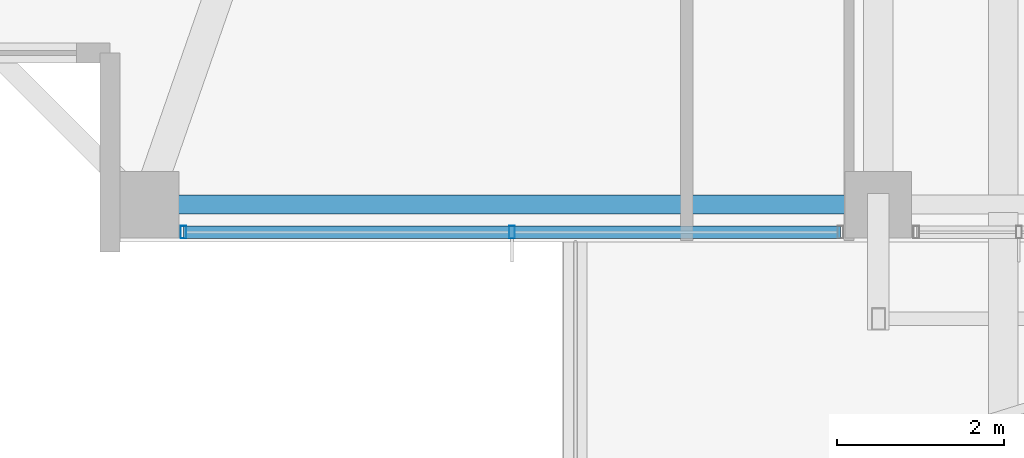
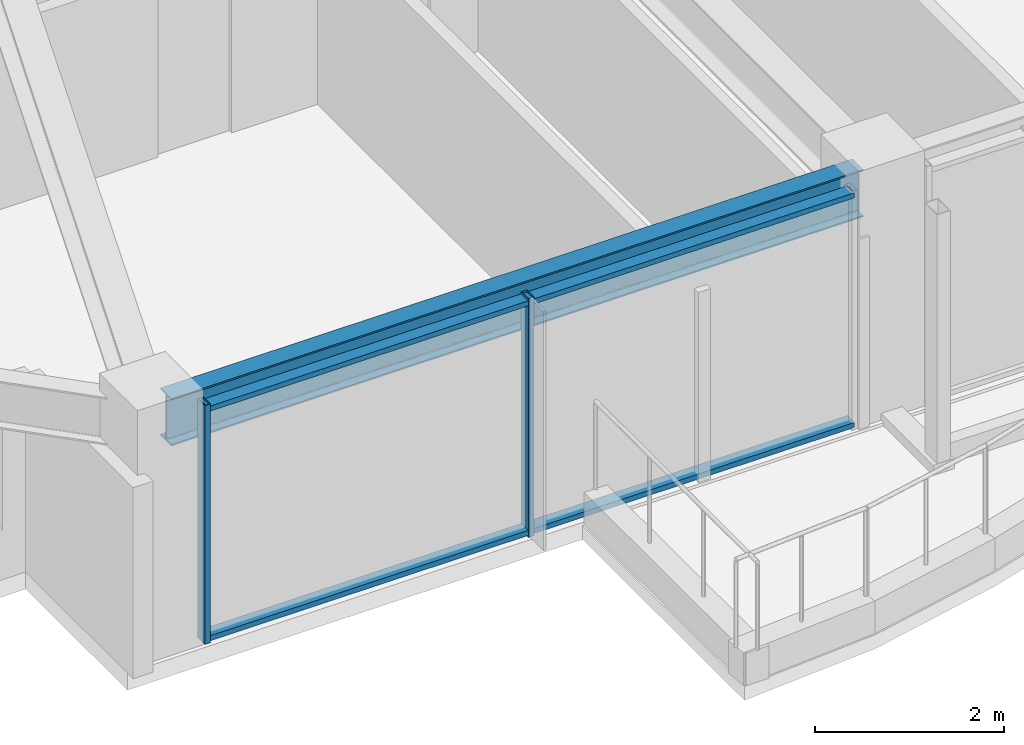
# One storey, part 2 of 38: 4 members, 1 beam, 1 element without a shape of its own.
"""IFC4 building model written with IfcOpenShell, lengths in metres."""

from ifc_helpers import new_model, si_unit, direction, frame, origin, origin_2d, place, context, subcontext, project, spatial, hollow_rectangle, i_section, extrude, material, material_profile, profile_set, type_object, element, aggregate, save


model = new_model("IFC4")

# Units and contexts
model_context = context("Model", 3, precision=1e-05, world=origin(), true_north=direction((0.0, 1.0)))
body_context = subcontext(model_context, "Body", "Model", "MODEL_VIEW")
ifc_project = project(units=[si_unit("LENGTHUNIT", "METRE"), si_unit("AREAUNIT", "SQUARE_METRE"), si_unit("VOLUMEUNIT", "CUBIC_METRE"), si_unit("PLANEANGLEUNIT", "RADIAN"), si_unit("MASSUNIT", "GRAM", prefix="KILO")], contexts=[model_context])

# Site, building, storey
site_placement = place(None, origin())
site = spatial("IfcSite", under=ifc_project, at=site_placement, CompositionType="ELEMENT")
building_placement = place(site_placement, origin())
building = spatial("IfcBuilding", under=site, at=building_placement, Name="Kolvaren Belvedere", CompositionType="ELEMENT")
storey_placement = place(building_placement, frame((0.0, 0.0, 206.39990234375)))
storey = spatial("IfcBuildingStorey", under=building, at=storey_placement, Name="L60", CompositionType="ELEMENT", Elevation=206.39990234375)

# Beam
ifc_material_1 = material(Name="Structural steel ASTM A992 Grade 50", Category="steel")
ifc_material_profile_1 = material_profile(ifc_material_1, i_section(OverallWidth=0.22900390625, OverallDepth=0.612060546875, WebThickness=0.011962890625, FlangeThickness=0.01953125, FilletRadius=0.01806640625, at=origin_2d()), Name="W24X84")
ifc_profile_set_1 = profile_set([ifc_material_profile_1], Name="Structural steel ASTM A992 Grade 50")
beam_type = type_object("IfcBeamType", Name="BM-SPAN-W24X84", PredefinedType="SPANDREL", material=ifc_profile_set_1)
beam_placement = place(storey_placement, frame((-13.219970703125, -19.949951171875, 2.774169921875), z_axis=(1.0, 0.0, 0.0), x_axis=(0.0, 1.0, 0.0)))
element("IfcBeam", 1, at=beam_placement, inside=storey, type_object=beam_type, Name="L60 Perimeter Spandrel S1-S2", PredefinedType="SPANDREL", context=body_context, shape_type="SweptSolid", body=[
    extrude(i_section(OverallWidth=0.22900390625, OverallDepth=0.612060546875, WebThickness=0.011962890625, FlangeThickness=0.01953125, FilletRadius=0.01806640625, at=origin_2d()), origin(), (0.0, 0.0, 1.0), 8.43994140625),
])

# Curtain wall, members
ifc_material_2 = material(Name="Anodised pale-metal aluminium AA 6063-T6", Category="aluminium")
curtain_wall_type = type_object("IfcCurtainWallType", Name="CW-Z5-HIGH", PredefinedType="NOTDEFINED", material=ifc_material_2)
curtain_wall_placement = place(storey_placement, origin())
curtain_wall = element("IfcCurtainWall", 2, at=curtain_wall_placement, inside=storey, type_object=curtain_wall_type, Name="L60 Unitised Curtain Wall FCW-L60-S2-B2", PredefinedType="NOTDEFINED")
ifc_material_3 = material(Name="Anodised pale-metal aluminium AA 6063-T6", Category="aluminium")
ifc_material_profile_2 = material_profile(ifc_material_3, hollow_rectangle(XDim=0.070068359375, YDim=0.14990234375, WallThickness=0.004150390625, at=origin_2d()), Name="ALU-MUL-150X70")
ifc_profile_set_2 = profile_set([ifc_material_profile_2], Name="Anodised pale-metal aluminium AA 6063-T6")
member_type_1 = type_object("IfcMemberType", Name="CW-MUL-150", PredefinedType="MULLION", material=ifc_profile_set_2)
member_1_placement = place(storey_placement, frame((-9.0, -20.280029296875, 0.0), z_axis=(0.0, 0.0, 1.0), x_axis=(1.0, 0.0, 0.0)))
member_1 = element("IfcMember", 3, at=member_1_placement, type_object=member_type_1, Name="FCW-L60-S2-B2 Unitised Mullion 2", PredefinedType="MULLION", context=body_context, shape_type="SweptSolid", body=[
    extrude(hollow_rectangle(XDim=0.070068359375, YDim=0.14990234375, WallThickness=0.004150390625, at=origin_2d()), origin(), (0.0, 0.0, 1.0), 3.080078125),
])
member_2_placement = place(storey_placement, frame((-12.945068359375, -20.280029296875, 0.0), z_axis=(0.0, 0.0, 1.0), x_axis=(1.0, 0.0, 0.0)))
member_2 = element("IfcMember", 4, at=member_2_placement, type_object=member_type_1, Name="FCW-L60-S2-B2 Unitised Mullion 3", PredefinedType="MULLION", context=body_context, shape_type="SweptSolid", body=[
    extrude(hollow_rectangle(XDim=0.070068359375, YDim=0.14990234375, WallThickness=0.004150390625, at=origin_2d()), origin(), (0.0, 0.0, 1.0), 3.080078125),
])
ifc_material_4 = material(Name="Anodised pale-metal aluminium AA 6063-T6", Category="aluminium")
ifc_material_profile_3 = material_profile(ifc_material_4, hollow_rectangle(XDim=0.06494140625, YDim=0.14990234375, WallThickness=0.00390625, at=origin_2d()), Name="ALU-TRN-150X65")
ifc_profile_set_3 = profile_set([ifc_material_profile_3], Name="Anodised pale-metal aluminium AA 6063-T6")
member_type_2 = type_object("IfcMemberType", Name="CW-TRN-150", PredefinedType="USERDEFINED", material=ifc_profile_set_3)
member_3_placement = place(storey_placement, frame((-5.054931640625, -20.280029296875, 0.06005859375), z_axis=(-1.0, 0.0, 0.0), x_axis=(0.0, 0.0, 1.0)))
member_3 = element("IfcMember", 5, at=member_3_placement, type_object=member_type_2, Name="FCW-L60-S2-B2 Sill Transom", ObjectType="TRANSOM", PredefinedType="USERDEFINED", context=body_context, shape_type="SweptSolid", body=[
    extrude(hollow_rectangle(XDim=0.06494140625, YDim=0.14990234375, WallThickness=0.00390625, at=origin_2d()), origin(), (0.0, 0.0, 1.0), 7.89013671875),
])
member_4_placement = place(storey_placement, frame((-5.054931640625, -20.280029296875, 3.02001953125), z_axis=(-1.0, 0.0, 0.0), x_axis=(0.0, 0.0, 1.0)))
member_4 = element("IfcMember", 6, at=member_4_placement, type_object=member_type_2, Name="FCW-L60-S2-B2 Head Transom", ObjectType="TRANSOM", PredefinedType="USERDEFINED", context=body_context, shape_type="SweptSolid", body=[
    extrude(hollow_rectangle(XDim=0.06494140625, YDim=0.14990234375, WallThickness=0.00390625, at=origin_2d()), origin(), (0.0, 0.0, 1.0), 7.89013671875),
])
aggregate(curtain_wall, [member_1, member_2, member_3, member_4])

save(model, "model.ifc")
